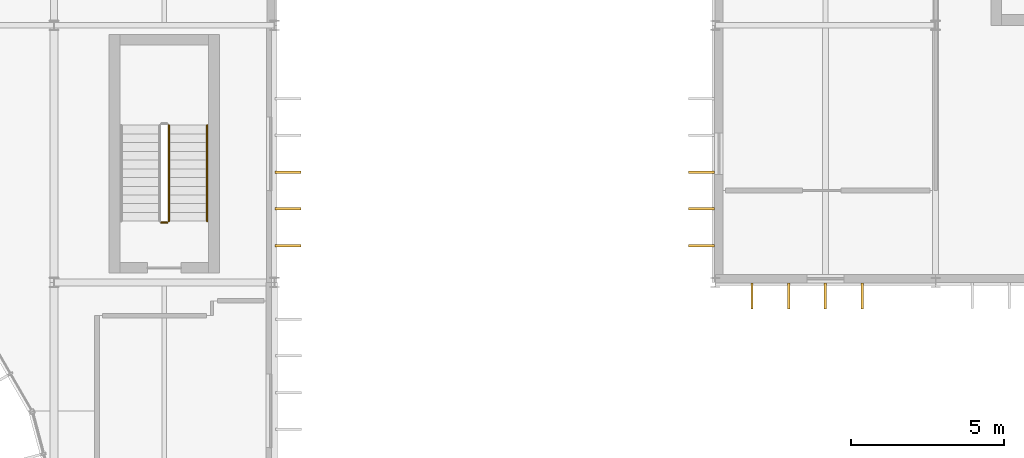
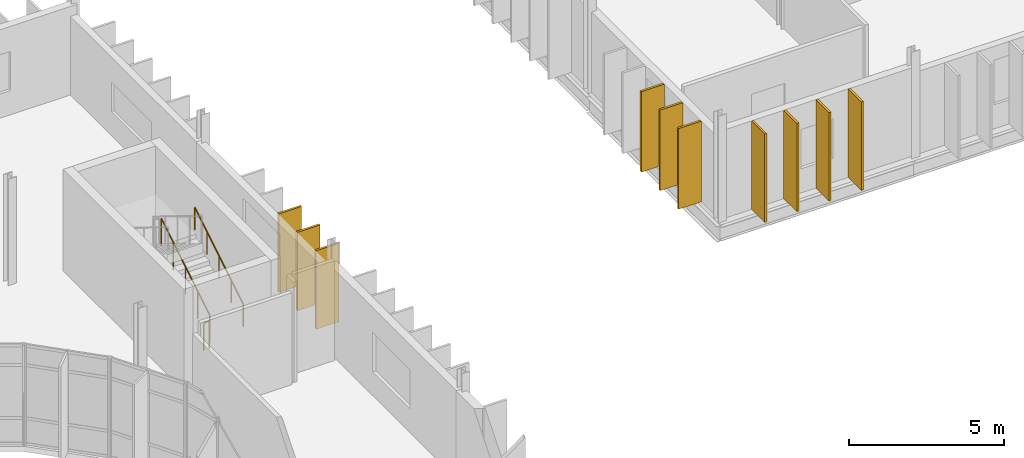
# One storey, part 56 of 61: 10 shading devices, 3 railings.
"""IFC4 building model written with IfcOpenShell, lengths in metres."""

from ifc_helpers import new_model, si_unit, direction, frame, origin, origin_2d, place, context, subcontext, project, spatial, rectangle, circle, extrude, material, type_object, element, save


model = new_model("IFC4")

# Units and contexts
model_context = context("Model", 3, precision=1e-05, world=origin(), true_north=direction((0.0, 1.0)))
body_context = subcontext(model_context, "Body", "Model", "MODEL_VIEW")
ifc_project = project(units=[si_unit("LENGTHUNIT", "METRE"), si_unit("AREAUNIT", "SQUARE_METRE"), si_unit("VOLUMEUNIT", "CUBIC_METRE"), si_unit("PLANEANGLEUNIT", "RADIAN"), si_unit("MASSUNIT", "GRAM", prefix="KILO")], contexts=[model_context])

# Site, building, storey
site_placement = place(None, origin())
site = spatial("IfcSite", under=ifc_project, at=site_placement, CompositionType="ELEMENT")
building_placement = place(site_placement, origin())
building = spatial("IfcBuilding", under=site, at=building_placement, Name="Qelthora Terrace Specialist Clinic", CompositionType="ELEMENT")
storey_placement = place(building_placement, frame((0.0, 0.0, 13.199951171875)))
storey = spatial("IfcBuildingStorey", under=building, at=storey_placement, Name="L03", CompositionType="ELEMENT", Elevation=13.199951171875)

# Railings
ifc_material_1 = material(Name="Steel S355", Category="steel")
railing_type_1 = type_object("IfcRailingType", Name="RAL-GD-1100-S355", PredefinedType="GUARDRAIL", material=ifc_material_1)
railing_1_placement = place(storey_placement, frame((39.75, 94.39990234375, 0.175048828125)))
element("IfcRailing", 1, at=railing_1_placement, inside=storey, type_object=railing_type_1, Name="L03 ST-02 stair guard 1", PredefinedType="GUARDRAIL", context=body_context, shape_type="SweptSolid", body=[
    extrude(circle(Radius=0.02392578125, at=origin_2d()), frame((0.0, 0.0, 1.076171875), z_axis=(0.0, 0.852166034122, 0.523271488128), x_axis=(-1.0, 0.0, 0.0)), (0.0, 0.0, 1.0), 3.678955078125),
    extrude(circle(Radius=0.02099609375, at=origin_2d()), origin(), (0.0, 0.0, 1.0), 1.052001953125),
    extrude(circle(Radius=0.02099609375, at=origin_2d()), frame((0.0, 0.78369140625, 0.481201171875)), (0.0, 0.0, 1.0), 1.052001953125),
    extrude(circle(Radius=0.02099609375, at=origin_2d()), frame((0.0, 1.5673828125, 0.96240234375)), (0.0, 0.0, 1.0), 1.052001953125),
    extrude(circle(Radius=0.02099609375, at=origin_2d()), frame((0.0, 2.351318359375, 1.44384765625)), (0.0, 0.0, 1.0), 1.052001953125),
    extrude(circle(Radius=0.02099609375, at=origin_2d()), frame((0.0, 3.135009765625, 1.925048828125)), (0.0, 0.0, 1.0), 1.052001953125),
])
railing_2_placement = place(storey_placement, frame((39.699951171875, 94.35009765625, 0.0)))
element("IfcRailing", 2, at=railing_2_placement, inside=storey, type_object=railing_type_1, Name="L03 ST-02 stair guard 4", PredefinedType="GUARDRAIL", context=body_context, shape_type="SweptSolid", body=[
    extrude(circle(Radius=0.02392578125, at=origin_2d()), frame((0.0, 0.0, 1.076171875), z_axis=(-1.0, 0.0, 0.0), x_axis=(0.0, -1.0, 0.0)), (0.0, 0.0, 1.0), 0.199951171875),
    extrude(circle(Radius=0.02099609375, at=origin_2d()), origin(), (0.0, 0.0, 1.0), 1.052001953125),
    extrude(circle(Radius=0.02099609375, at=origin_2d()), frame((-0.199951171875, 0.0, 0.0)), (0.0, 0.0, 1.0), 1.052001953125),
])
railing_type_2 = type_object("IfcRailingType", Name="RAL-HR-900-S355", PredefinedType="HANDRAIL", material=ifc_material_1)
railing_3_placement = place(storey_placement, frame((41.0, 94.39990234375, 0.3681640625)))
element("IfcRailing", 3, at=railing_3_placement, inside=storey, type_object=railing_type_2, Name="L03 ST-02 stair handrail 1", PredefinedType="HANDRAIL", context=body_context, shape_type="SweptSolid", body=[
    extrude(circle(Radius=0.02392578125, at=origin_2d()), frame((0.0, 0.0, 0.8759765625), z_axis=(0.0, 0.852195625947, 0.523223293744), x_axis=(-1.0, 0.0, 0.0)), (0.0, 0.0, 1.0), 3.6787109375),
    extrude(circle(Radius=0.02099609375, at=origin_2d()), origin(), (0.0, 0.0, 1.0), 0.851806640625),
    extrude(circle(Radius=0.02099609375, at=origin_2d()), frame((0.0, 0.78369140625, 0.481201171875)), (0.0, 0.0, 1.0), 0.851806640625),
    extrude(circle(Radius=0.02099609375, at=origin_2d()), frame((0.0, 1.5673828125, 0.96240234375)), (0.0, 0.0, 1.0), 0.851806640625),
    extrude(circle(Radius=0.02099609375, at=origin_2d()), frame((0.0, 2.351318359375, 1.443603515625)), (0.0, 0.0, 1.0), 0.851806640625),
    extrude(circle(Radius=0.02099609375, at=origin_2d()), frame((0.0, 3.135009765625, 1.9248046875)), (0.0, 0.0, 1.0), 0.851806640625),
])

# Shading devices
ifc_material_2 = material(Name="Glulam timber GL28h", Category="wood")
shading_device_type = type_object("IfcShadingDeviceType", Name="SHD-FIN-850", PredefinedType="USERDEFINED", material=ifc_material_2)
for number, where, z_axis, x_axis, name in (
    (4, (58.800048828125, 91.955078125, 0.0), (0.0, 0.0, 1.0), (0.0, -1.0, 0.0), "Exterior solar shading fin FIN-1538"),
    (5, (60.0, 91.955078125, 0.0), (0.0, 0.0, 1.0), (0.0, -1.0, 0.0), "Exterior solar shading fin FIN-1539"),
    (6, (61.199951171875, 91.955078125, 0.0), (0.0, 0.0, 1.0), (0.0, -1.0, 0.0), "Exterior solar shading fin FIN-1540"),
    (7, (62.39990234375, 91.955078125, 0.0), (0.0, 0.0, 1.0), (0.0, -1.0, 0.0), "Exterior solar shading fin FIN-1541"),
):
    element("IfcShadingDevice", number, at=place(storey_placement, frame(where, z_axis=z_axis, x_axis=x_axis)), inside=storey, type_object=shading_device_type, Name=name, ObjectType="FIN", PredefinedType="USERDEFINED", context=body_context, shape_type="SweptSolid", body=[
        extrude(rectangle(XDim=0.85009765625, YDim=0.080078125, at=origin_2d()), origin(), (0.0, 0.0, 1.0), 3.48193359375),
    ])
for number, where, z_axis, x_axis, name in (
    (8, (57.155029296875, 93.60009765625, 0.0), (0.0, 0.0, 1.0), (-1.0, 0.0, 0.0), "Exterior solar shading fin FIN-1561"),
    (9, (57.155029296875, 94.800048828125, 0.0), (0.0, 0.0, 1.0), (-1.0, 0.0, 0.0), "Exterior solar shading fin FIN-1562"),
    (10, (57.155029296875, 96.0, 0.0), (0.0, 0.0, 1.0), (-1.0, 0.0, 0.0), "Exterior solar shading fin FIN-1563"),
):
    element("IfcShadingDevice", number, at=place(storey_placement, frame(where, z_axis=z_axis, x_axis=x_axis)), inside=storey, type_object=shading_device_type, Name=name, ObjectType="FIN", PredefinedType="USERDEFINED", context=body_context, shape_type="SweptSolid", body=[
        extrude(rectangle(XDim=0.85009765625, YDim=0.080078125, at=origin_2d()), origin(), (0.0, 0.0, 1.0), 3.172119140625),
    ])
for number, where, z_axis, x_axis, name in (
    (11, (43.64501953125, 93.60009765625, 0.0), (0.0, 0.0, 1.0), (1.0, 0.0, 0.0), "Exterior solar shading fin FIN-1719"),
    (12, (43.64501953125, 94.800048828125, 0.0), (0.0, 0.0, 1.0), (1.0, 0.0, 0.0), "Exterior solar shading fin FIN-1720"),
    (13, (43.64501953125, 96.0, 0.0), (0.0, 0.0, 1.0), (1.0, 0.0, 0.0), "Exterior solar shading fin FIN-1721"),
):
    element("IfcShadingDevice", number, at=place(storey_placement, frame(where, z_axis=z_axis, x_axis=x_axis)), inside=storey, type_object=shading_device_type, Name=name, ObjectType="FIN", PredefinedType="USERDEFINED", context=body_context, shape_type="SweptSolid", body=[
        extrude(rectangle(XDim=0.85009765625, YDim=0.080078125, at=origin_2d()), origin(), (0.0, 0.0, 1.0), 3.091064453125),
    ])

save(model, "model.ifc")
